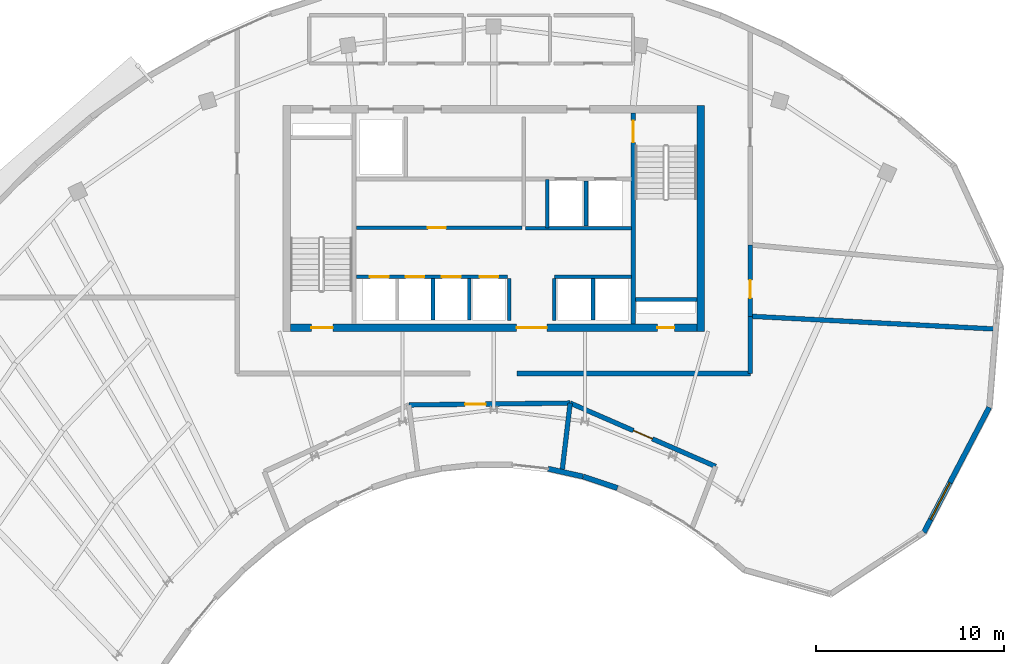
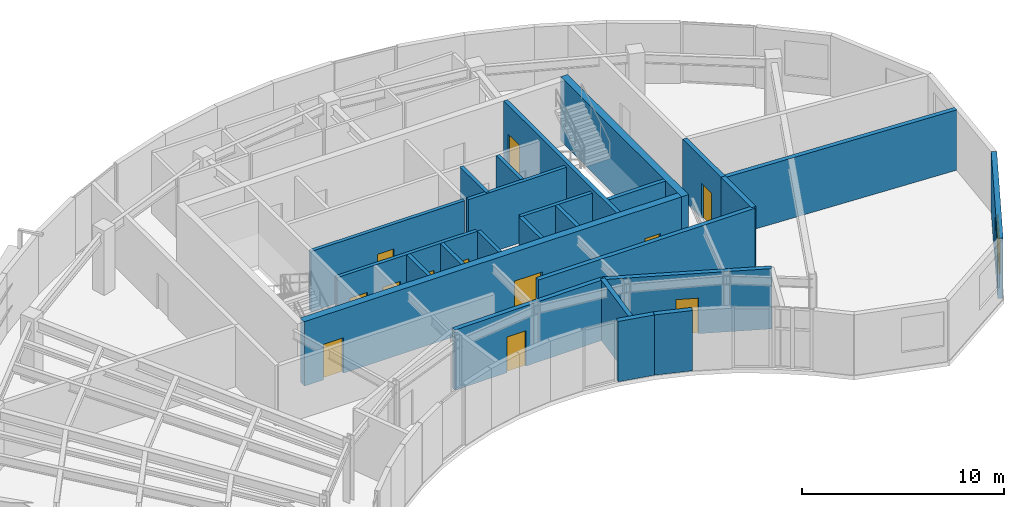
# One storey, part 9 of 12: 25 walls, 12 doors, 1 window, 13 openings.
"""IFC4 building model written with IfcOpenShell, lengths in metres."""

from ifc_helpers import new_model, si_unit, direction, frame, frame_2d, origin, place, context, subcontext, project, spatial, rectangle, extrude, source, transform, mapped, material, layer, layer_set, type_object, type_shapes, element, fill, save


model = new_model("IFC4")

# Units and contexts
model_context = context("Model", 3, precision=1e-05, world=origin(), true_north=direction((0.0, 1.0)))
body_context = subcontext(model_context, "Body", "Model", "MODEL_VIEW")
ifc_project = project(units=[si_unit("LENGTHUNIT", "METRE"), si_unit("AREAUNIT", "SQUARE_METRE"), si_unit("VOLUMEUNIT", "CUBIC_METRE"), si_unit("PLANEANGLEUNIT", "RADIAN"), si_unit("MASSUNIT", "GRAM", prefix="KILO")], contexts=[model_context])

# Site, building, storey
site_placement = place(None, origin())
site = spatial("IfcSite", under=ifc_project, at=site_placement, CompositionType="ELEMENT")
building_placement = place(site_placement, origin())
building = spatial("IfcBuilding", under=site, at=building_placement, Name="Breltana Convention Tower", CompositionType="ELEMENT")
storey_placement = place(building_placement, frame((0.0, 0.0, 260.10009765625)))
storey = spatial("IfcBuildingStorey", under=building, at=storey_placement, Name="L63", CompositionType="ELEMENT", Elevation=260.10009765625)

# Walls
ifc_material_1 = material(Name="Concrete C50/60", Category="concrete")
ifc_layer_1 = layer(ifc_material_1, 0.39990234375, Name="Concrete C50/60")
ifc_layer_set_1 = layer_set([ifc_layer_1], Name="Concrete C50/60")
wall_type_1 = type_object("IfcWallType", Name="SW-CORE-400", PredefinedType="SHEAR", material=ifc_layer_set_1)
shared_shape_1 = source(origin(), body_context, "Body", "SweptSolid", [
    extrude(rectangle(XDim=3.27001953125, YDim=0.219970703125, at=frame_2d((1.635009765625, 0.0))), origin(), (0.0, 0.0, 1.0), 3.89990234375),
])
wall_1_placement = place(storey_placement, frame((55.530029296875, 61.889892578125, 0.0), z_axis=(0.0, 0.0, 1.0), x_axis=(1.0, 0.0, 0.0)))
element("IfcWall", 1, at=wall_1_placement, inside=storey, type_object=wall_type_1, Name="L63 ST-2 Stairwell South Bearing Wall", PredefinedType="SHEAR", context=body_context, shape_type="MappedRepresentation", body=[
    mapped(shared_shape_1, transform((0.0, 0.0, 0.0), scale=1.0)),
])
shared_shape_2 = source(origin(), body_context, "Body", "SweptSolid", [
    extrude(rectangle(XDim=12.0, YDim=0.39990234375, at=frame_2d((6.0, 0.0))), origin(), (0.0, 0.0, 1.0), 3.89990234375),
])
wall_2_placement = place(storey_placement, frame((59.0, 60.199951171875, 0.0), z_axis=(0.0, 0.0, 1.0), x_axis=(0.0, 1.0, 0.0)))
element("IfcWall", 2, at=wall_2_placement, inside=storey, type_object=wall_type_1, Name="L63 East Core Shear Wall", PredefinedType="SHEAR", context=body_context, shape_type="MappedRepresentation", body=[
    mapped(shared_shape_2, transform((0.0, 0.0, 0.0), scale=1.0)),
])

# Wall, openings, doors
shared_shape_3 = source(origin(), body_context, "Body", "SweptSolid", [
    extrude(rectangle(XDim=21.60009765625, YDim=0.39990234375, at=frame_2d((10.800048828125, 0.0))), origin(), (0.0, 0.0, 1.0), 3.89990234375),
])
wall_3_placement = place(storey_placement, frame((37.199951171875, 60.39990234375, 0.0), z_axis=(0.0, 0.0, 1.0), x_axis=(1.0, 0.0, 0.0)))
wall_3 = element("IfcWall", 3, at=wall_3_placement, inside=storey, type_object=wall_type_1, Name="L63 South Core Shear Wall", PredefinedType="SHEAR", context=body_context, shape_type="MappedRepresentation", body=[
    mapped(shared_shape_3, transform((0.0, 0.0, 0.0), scale=1.0)),
])
opening_1_placement = place(wall_3_placement, frame((1.10009765625, 0.0, 0.0)))
opening_1 = element("IfcOpeningElement", 4, at=opening_1_placement, cuts=wall_3, Name="Opening D-11", PredefinedType="OPENING", context=body_context, shape_type="SweptSolid", body=[
    extrude(rectangle(XDim=1.14990234375, YDim=2.14990234375, at=frame_2d((0.574951171875, 1.074951171875))), frame((0.0, 0.2099609375, 0.0), z_axis=(0.0, -1.0, 0.0), x_axis=(1.0, 0.0, 0.0)), (0.0, 0.0, 1.0), 0.419921875),
])
opening_2_placement = place(wall_3_placement, frame((19.5, 0.0, 0.0)))
opening_2 = element("IfcOpeningElement", 5, at=opening_2_placement, cuts=wall_3, Name="Opening D-18", PredefinedType="OPENING", context=body_context, shape_type="SweptSolid", body=[
    extrude(rectangle(XDim=0.89990234375, YDim=2.10009765625, at=frame_2d((0.449951171875, 1.050048828125))), frame((0.0, 0.2099609375, 0.0), z_axis=(0.0, -1.0, 0.0), x_axis=(1.0, 0.0, 0.0)), (0.0, 0.0, 1.0), 0.419921875),
])
opening_3_placement = place(wall_3_placement, frame((12.02001953125, 0.0, 0.0)))
opening_3 = element("IfcOpeningElement", 6, at=opening_3_placement, cuts=wall_3, Name="Opening D-02", PredefinedType="OPENING", context=body_context, shape_type="SweptSolid", body=[
    extrude(rectangle(XDim=1.60009765625, YDim=2.14990234375, at=frame_2d((0.800048828125, 1.074951171875))), frame((0.0, 0.2099609375, 0.0), z_axis=(0.0, -1.0, 0.0), x_axis=(1.0, 0.0, 0.0)), (0.0, 0.0, 1.0), 0.419921875),
])
ifc_material_2 = material(Name="Steel Stair Exit Door", Category="steel")
door_type_1 = type_object("IfcDoorType", Name="DR-FD120-1150", OperationType="NOTDEFINED", PredefinedType="DOOR", material=ifc_material_2)
shared_shape_4 = source(origin(), body_context, "Body", "SweptSolid", [
    extrude(rectangle(XDim=1.14990234375, YDim=2.14990234375, at=frame_2d((0.574951171875, 1.074951171875))), frame((0.0, 0.02490234375, 0.0), z_axis=(0.0, -1.0, 0.0), x_axis=(1.0, 0.0, 0.0)), (0.0, 0.0, 1.0), 0.050048828125),
])
type_shapes(door_type_1, [shared_shape_4])
door_1_placement = place(opening_1_placement, origin())
door_1 = element("IfcDoor", 7, at=door_1_placement, inside=storey, type_object=door_type_1, Name="L63 interior door D-L63-ST1", OperationType="SINGLE_SWING_LEFT", OverallHeight=2.14990234375, OverallWidth=1.14990234375, PredefinedType="DOOR", context=body_context, shape_type="MappedRepresentation", body=[
    mapped(shared_shape_4, transform((0.0, 0.0, 0.0), scale=1.0)),
])
fill(opening_1, door_1)
ifc_material_3 = material(Name="Steel Riser Fire Door", Category="steel")
door_type_2 = type_object("IfcDoorType", Name="DR-FD60-900", OperationType="NOTDEFINED", PredefinedType="DOOR", material=ifc_material_3)
shared_shape_5 = source(origin(), body_context, "Body", "SweptSolid", [
    extrude(rectangle(XDim=0.89990234375, YDim=2.10009765625, at=frame_2d((0.449951171875, 1.050048828125))), frame((0.0, 0.02490234375, 0.0), z_axis=(0.0, -1.0, 0.0), x_axis=(1.0, 0.0, 0.0)), (0.0, 0.0, 1.0), 0.050048828125),
])
type_shapes(door_type_2, [shared_shape_5])
door_2_placement = place(opening_2_placement, origin())
door_2 = element("IfcDoor", 8, at=door_2_placement, inside=storey, type_object=door_type_2, Name="L63 Core Riser Access Door D-L63-RS2", OperationType="SINGLE_SWING_RIGHT", OverallHeight=2.10009765625, OverallWidth=0.89990234375, PredefinedType="DOOR", context=body_context, shape_type="MappedRepresentation", body=[
    mapped(shared_shape_5, transform((0.0, 0.0, 0.0), scale=1.0)),
])
fill(opening_2, door_2)
ifc_material_4 = material(Name="Steel Glazed Smoke-Control Door", Category="steel")
door_type_3 = type_object("IfcDoorType", Name="DR-DBL-FD90-1600", OperationType="DOUBLE_DOOR_SINGLE_SWING", PredefinedType="DOOR", material=ifc_material_4)
shared_shape_6 = source(origin(), body_context, "Body", "SweptSolid", [
    extrude(rectangle(XDim=1.60009765625, YDim=2.14990234375, at=frame_2d((0.800048828125, 1.074951171875))), frame((0.0, 0.02490234375, 0.0), z_axis=(0.0, -1.0, 0.0), x_axis=(1.0, 0.0, 0.0)), (0.0, 0.0, 1.0), 0.050048828125),
])
type_shapes(door_type_3, [shared_shape_6])
door_3_placement = place(opening_3_placement, origin())
door_3 = element("IfcDoor", 9, at=door_3_placement, inside=storey, type_object=door_type_3, Name="L63 interior door D-L63-LLB-S", OperationType="DOUBLE_DOOR_SINGLE_SWING", OverallHeight=2.14990234375, OverallWidth=1.60009765625, PredefinedType="DOOR", context=body_context, shape_type="MappedRepresentation", body=[
    mapped(shared_shape_6, transform((0.0, 0.0, 0.0), scale=1.0)),
])
fill(opening_3, door_3)

# Wall, opening, door
shared_shape_7 = source(origin(), body_context, "Body", "SweptSolid", [
    extrude(rectangle(XDim=11.199951171875, YDim=0.219970703125, at=frame_2d((5.60009765625, 0.0))), origin(), (0.0, 0.0, 1.0), 3.89990234375),
])
wall_4_placement = place(storey_placement, frame((55.419921875, 60.60009765625, 0.0), z_axis=(0.0, 0.0, 1.0), x_axis=(0.0, 1.0, 0.0)))
wall_4 = element("IfcWall", 10, at=wall_4_placement, inside=storey, type_object=wall_type_1, Name="L63 Core East Stair Spine Wall", PredefinedType="SHEAR", context=body_context, shape_type="MappedRepresentation", body=[
    mapped(shared_shape_7, transform((0.0, 0.0, 0.0), scale=1.0)),
])
opening_4_placement = place(wall_4_placement, frame((9.64501953125, 0.0, 0.0)))
opening_4 = element("IfcOpeningElement", 11, at=opening_4_placement, cuts=wall_4, Name="Opening D-11", PredefinedType="OPENING", context=body_context, shape_type="SweptSolid", body=[
    extrude(rectangle(XDim=1.14990234375, YDim=2.14990234375, at=frame_2d((0.574951171875, 1.074951171875))), frame((0.0, 0.1201171875, 0.0), z_axis=(0.0, -1.0, 0.0), x_axis=(1.0, 0.0, 0.0)), (0.0, 0.0, 1.0), 0.239990234375),
])
door_4_placement = place(opening_4_placement, origin())
door_4 = element("IfcDoor", 12, at=door_4_placement, inside=storey, type_object=door_type_1, Name="L63 interior door D-L63-ST2", OperationType="SINGLE_SWING_LEFT", OverallHeight=2.14990234375, OverallWidth=1.14990234375, PredefinedType="DOOR", context=body_context, shape_type="MappedRepresentation", body=[
    mapped(shared_shape_4, transform((0.0, 0.0, 0.0), scale=1.0)),
])
fill(opening_4, door_4)

# Wall, opening, window
ifc_material_5 = material(Name="Limestone Buff Insulated Wall", Category="masonry")
ifc_layer_2 = layer(ifc_material_5, 0.280029296875, Name="Limestone Buff Insulated Wall")
ifc_layer_set_2 = layer_set([ifc_layer_2], Name="Limestone Buff Insulated Wall")
wall_type_2 = type_object("IfcWallType", Name="WL-EXT-NOSE-280", PredefinedType="SOLIDWALL", material=ifc_layer_set_2)
shared_shape_8 = source(origin(), body_context, "Body", "SweptSolid", [
    extrude(rectangle(XDim=7.494873046875, YDim=0.280029296875, at=frame_2d((3.74755859375, 0.0))), origin(), (0.0, 0.0, 1.0), 3.64990234375),
])
wall_5_placement = place(storey_placement, frame((74.342529296875, 56.156005859375, 0.0), z_axis=(0.0, 0.0, 1.0), x_axis=(-0.463116979657, -0.886297164135, 0.0)))
wall_5 = element("IfcWall", 13, at=wall_5_placement, inside=storey, type_object=wall_type_2, Name="L63 curved limestone nose wall E3", PredefinedType="SOLIDWALL", context=body_context, shape_type="MappedRepresentation", body=[
    mapped(shared_shape_8, transform((0.0, 0.0, 0.0), scale=1.0)),
])
opening_5_placement = place(wall_5_placement, frame((4.52099609375, 0.0, 0.949951171875)))
opening_5 = element("IfcOpeningElement", 14, at=opening_5_placement, cuts=wall_5, Name="Opening W-03", PredefinedType="OPENING", context=body_context, shape_type="SweptSolid", body=[
    extrude(rectangle(XDim=2.199951171875, YDim=2.10009765625, at=frame_2d((1.10009765625, 1.050048828125))), frame((0.0, 0.14990234375, 0.0), z_axis=(0.0, -1.0, 0.0), x_axis=(1.0, 0.0, 0.0)), (0.0, 0.0, 1.0), 0.300048828125),
])
ifc_material_6 = material(Name="Glass Low-E Insulated Window", Category="glass")
window_type = type_object("IfcWindowType", Name="WN-NOSE-2200X2100", PartitioningType="TRIPLE_PANEL_VERTICAL", PredefinedType="WINDOW", material=ifc_material_6)
shared_shape_9 = source(origin(), body_context, "Body", "SweptSolid", [
    extrude(rectangle(XDim=2.199951171875, YDim=2.10009765625, at=frame_2d((1.10009765625, 1.050048828125))), frame((0.0, 0.030029296875, 0.0), z_axis=(0.0, -1.0, 0.0), x_axis=(1.0, 0.0, 0.0)), (0.0, 0.0, 1.0), 0.06005859375),
])
type_shapes(window_type, [shared_shape_9])
window_placement = place(opening_5_placement, origin())
window = element("IfcWindow", 15, at=window_placement, inside=storey, type_object=window_type, Name="L63 nose window E3", OverallHeight=2.10009765625, OverallWidth=2.199951171875, PartitioningType="TRIPLE_PANEL_VERTICAL", PredefinedType="WINDOW", context=body_context, shape_type="MappedRepresentation", body=[
    mapped(shared_shape_9, transform((0.0, 0.0, 0.0), scale=1.0)),
])
fill(opening_5, window)

# Walls
shared_shape_10 = source(origin(), body_context, "Body", "SweptSolid", [
    extrude(rectangle(XDim=1.917724609375, YDim=0.280029296875, at=frame_2d((0.958984375, 0.0))), origin(), (0.0, 0.0, 1.0), 3.64990234375),
])
wall_6_placement = place(storey_placement, frame((54.579345703125, 51.865234375, 0.0), z_axis=(0.0, 0.0, 1.0), x_axis=(-0.947916697588, 0.318518342381, 0.0)))
element("IfcWall", 16, at=wall_6_placement, inside=storey, type_object=wall_type_2, Name="L63 curved limestone nose wall E8", PredefinedType="SOLIDWALL", context=body_context, shape_type="MappedRepresentation", body=[
    mapped(shared_shape_10, transform((0.0, 0.0, 0.0), scale=1.0)),
])
shared_shape_11 = source(origin(), body_context, "Body", "SweptSolid", [
    extrude(rectangle(XDim=1.89404296875, YDim=0.280029296875, at=frame_2d((0.947021484375, 0.0))), origin(), (0.0, 0.0, 1.0), 3.64990234375),
])
wall_7_placement = place(storey_placement, frame((52.7431640625, 52.481201171875, 0.0), z_axis=(0.0, 0.0, 1.0), x_axis=(-0.976156721324, 0.217066937635, 0.0)))
element("IfcWall", 17, at=wall_7_placement, inside=storey, type_object=wall_type_2, Name="L63 curved limestone nose wall E9", PredefinedType="SOLIDWALL", context=body_context, shape_type="MappedRepresentation", body=[
    mapped(shared_shape_11, transform((0.0, 0.0, 0.0), scale=1.0)),
])
ifc_material_7 = material(Name="Autoclaved Aerated Concrete Block", Category="concrete")
ifc_layer_3 = layer(ifc_material_7, 0.199951171875, Name="Autoclaved Aerated Concrete Block")
ifc_layer_set_3 = layer_set([ifc_layer_3], Name="Autoclaved Aerated Concrete Block")
wall_type_3 = type_object("IfcWallType", Name="WL-SHAFT-200", PredefinedType="SOLIDWALL", material=ifc_layer_set_3)
shared_shape_12 = source(origin(), body_context, "Body", "SweptSolid", [
    extrude(rectangle(XDim=2.239990234375, YDim=0.199951171875, at=frame_2d((1.1201171875, 0.0))), origin(), (0.0, 0.0, 1.0), 3.64990234375),
])
for number, where, z_axis, x_axis, name in (
    (18, (48.820068359375, 60.780029296875, 0.0), (0.0, 0.0, 1.0), (0.0, 1.0, 0.0), "L63 interior partition W-L63-PORT-W"),
    (19, (51.219970703125, 60.780029296875, 0.0), (0.0, 0.0, 1.0), (0.0, 1.0, 0.0), "L63 interior partition W-L63-PORT-E"),
):
    element("IfcWall", number, at=place(storey_placement, frame(where, z_axis=z_axis, x_axis=x_axis)), inside=storey, type_object=wall_type_3, Name=name, PredefinedType="SOLIDWALL", context=body_context, shape_type="MappedRepresentation", body=[
        mapped(shared_shape_12, transform((0.0, 0.0, 0.0), scale=1.0)),
    ])
shared_shape_13 = source(origin(), body_context, "Body", "SweptSolid", [
    extrude(rectangle(XDim=5.6201171875, YDim=0.199951171875, at=frame_2d((2.81005859375, 0.0))), origin(), (0.0, 0.0, 1.0), 3.64990234375),
])
wall_8_placement = place(storey_placement, frame((49.699951171875, 65.679931640625, 0.0), z_axis=(0.0, 0.0, 1.0), x_axis=(1.0, 0.0, 0.0)))
element("IfcWall", 20, at=wall_8_placement, inside=storey, type_object=wall_type_3, Name="L63 interior partition W-L63-FL-S", PredefinedType="SOLIDWALL", context=body_context, shape_type="MappedRepresentation", body=[
    mapped(shared_shape_13, transform((0.0, 0.0, 0.0), scale=1.0)),
])
shared_shape_14 = source(origin(), body_context, "Body", "SweptSolid", [
    extrude(rectangle(XDim=2.580078125, YDim=0.199951171875, at=frame_2d((1.2900390625, 0.0))), origin(), (0.0, 0.0, 1.0), 3.64990234375),
])
wall_9_placement = place(storey_placement, frame((50.85009765625, 65.679931640625, 0.0), z_axis=(0.0, 0.0, 1.0), x_axis=(0.0, 1.0, 0.0)))
element("IfcWall", 21, at=wall_9_placement, inside=storey, type_object=wall_type_3, Name="L63 interior partition W-L63-FL-W", PredefinedType="SOLIDWALL", context=body_context, shape_type="MappedRepresentation", body=[
    mapped(shared_shape_14, transform((0.0, 0.0, 0.0), scale=1.0)),
])
shared_shape_15 = source(origin(), body_context, "Body", "SweptSolid", [
    extrude(rectangle(XDim=2.39990234375, YDim=0.199951171875, at=frame_2d((1.199951171875, 0.0))), origin(), (0.0, 0.0, 1.0), 3.64990234375),
])
wall_10_placement = place(storey_placement, frame((52.89990234375, 65.800048828125, 0.0), z_axis=(0.0, 0.0, 1.0), x_axis=(0.0, 1.0, 0.0)))
element("IfcWall", 22, at=wall_10_placement, inside=storey, type_object=wall_type_3, Name="L63 interior partition W-L63-FL-DIV", PredefinedType="SOLIDWALL", context=body_context, shape_type="MappedRepresentation", body=[
    mapped(shared_shape_15, transform((0.0, 0.0, 0.0), scale=1.0)),
])

# Wall, opening, door
shared_shape_16 = source(origin(), body_context, "Body", "SweptSolid", [
    extrude(rectangle(XDim=8.800048828125, YDim=0.199951171875, at=frame_2d((4.39990234375, 0.0))), origin(), (0.0, 0.0, 1.0), 3.64990234375),
])
wall_11_placement = place(storey_placement, frame((40.699951171875, 65.699951171875, 0.0), z_axis=(0.0, 0.0, 1.0), x_axis=(1.0, 0.0, 0.0)))
wall_11 = element("IfcWall", 23, at=wall_11_placement, inside=storey, type_object=wall_type_3, Name="L63 interior partition W-L63-SH-M-FRONT", PredefinedType="SOLIDWALL", context=body_context, shape_type="MappedRepresentation", body=[
    mapped(shared_shape_16, transform((0.0, 0.0, 0.0), scale=1.0)),
])
opening_6_placement = place(wall_11_placement, frame((3.800048828125, 0.0, 0.0)))
opening_6 = element("IfcOpeningElement", 24, at=opening_6_placement, cuts=wall_11, Name="Opening D-14", PredefinedType="OPENING", context=body_context, shape_type="SweptSolid", body=[
    extrude(rectangle(XDim=0.949951171875, YDim=2.14990234375, at=frame_2d((0.47509765625, 1.074951171875))), frame((0.0, 0.10986328125, 0.0), z_axis=(0.0, -1.0, 0.0), x_axis=(1.0, 0.0, 0.0)), (0.0, 0.0, 1.0), 0.219970703125),
])
ifc_material_8 = material(Name="Timber Solid-Core Fire Door", Category="wood")
door_type_4 = type_object("IfcDoorType", Name="DR-FD60-950", OperationType="NOTDEFINED", PredefinedType="DOOR", material=ifc_material_8)
shared_shape_17 = source(origin(), body_context, "Body", "SweptSolid", [
    extrude(rectangle(XDim=0.949951171875, YDim=2.14990234375, at=frame_2d((0.47509765625, 1.074951171875))), frame((0.0, 0.02490234375, 0.0), z_axis=(0.0, -1.0, 0.0), x_axis=(1.0, 0.0, 0.0)), (0.0, 0.0, 1.0), 0.050048828125),
])
type_shapes(door_type_4, [shared_shape_17])
door_5_placement = place(opening_6_placement, origin())
door_5 = element("IfcDoor", 25, at=door_5_placement, inside=storey, type_object=door_type_4, Name="L63 interior door D-L63-LV7-B2A", OperationType="SINGLE_SWING_RIGHT", OverallHeight=2.14990234375, OverallWidth=0.949951171875, PredefinedType="DOOR", context=body_context, shape_type="MappedRepresentation", body=[
    mapped(shared_shape_17, transform((0.0, 0.0, 0.0), scale=1.0)),
])
fill(opening_6, door_5)

# Wall, openings, doors
shared_shape_18 = source(origin(), body_context, "Body", "SweptSolid", [
    extrude(rectangle(XDim=8.02001953125, YDim=0.199951171875, at=frame_2d((4.010009765625, 0.0))), origin(), (0.0, 0.0, 1.0), 3.64990234375),
])
wall_12_placement = place(storey_placement, frame((40.699951171875, 63.10009765625, 0.0), z_axis=(0.0, 0.0, 1.0), x_axis=(1.0, 0.0, 0.0)))
wall_12 = element("IfcWall", 26, at=wall_12_placement, inside=storey, type_object=wall_type_3, Name="L63 interior partition W-L63-SH-S-FRONT", PredefinedType="SOLIDWALL", context=body_context, shape_type="MappedRepresentation", body=[
    mapped(shared_shape_18, transform((0.0, 0.0, 0.0), scale=1.0)),
])
opening_7_placement = place(wall_12_placement, frame((0.719970703125, 0.0, 0.0)))
opening_7 = element("IfcOpeningElement", 27, at=opening_7_placement, cuts=wall_12, Name="Opening LD-04", PredefinedType="OPENING", context=body_context, shape_type="SweptSolid", body=[
    extrude(rectangle(XDim=1.0, YDim=2.14990234375, at=frame_2d((0.5, 1.074951171875))), frame((0.0, 0.10986328125, 0.0), z_axis=(0.0, -1.0, 0.0), x_axis=(1.0, 0.0, 0.0)), (0.0, 0.0, 1.0), 0.219970703125),
])
opening_8_placement = place(wall_12_placement, frame((2.6201171875, 0.0, 0.0)))
opening_8 = element("IfcOpeningElement", 28, at=opening_8_placement, cuts=wall_12, Name="Opening LD-04", PredefinedType="OPENING", context=body_context, shape_type="SweptSolid", body=[
    extrude(rectangle(XDim=1.0, YDim=2.14990234375, at=frame_2d((0.5, 1.074951171875))), frame((0.0, 0.10986328125, 0.0), z_axis=(0.0, -1.0, 0.0), x_axis=(1.0, 0.0, 0.0)), (0.0, 0.0, 1.0), 0.219970703125),
])
opening_9_placement = place(wall_12_placement, frame((4.550048828125, 0.0, 0.0)))
opening_9 = element("IfcOpeningElement", 29, at=opening_9_placement, cuts=wall_12, Name="Opening LD-04", PredefinedType="OPENING", context=body_context, shape_type="SweptSolid", body=[
    extrude(rectangle(XDim=1.0, YDim=2.14990234375, at=frame_2d((0.5, 1.074951171875))), frame((0.0, 0.10986328125, 0.0), z_axis=(0.0, -1.0, 0.0), x_axis=(1.0, 0.0, 0.0)), (0.0, 0.0, 1.0), 0.219970703125),
])
opening_10_placement = place(wall_12_placement, frame((6.550048828125, 0.0, 0.0)))
opening_10 = element("IfcOpeningElement", 30, at=opening_10_placement, cuts=wall_12, Name="Opening LD-04", PredefinedType="OPENING", context=body_context, shape_type="SweptSolid", body=[
    extrude(rectangle(XDim=1.0, YDim=2.14990234375, at=frame_2d((0.5, 1.074951171875))), frame((0.0, 0.10986328125, 0.0), z_axis=(0.0, -1.0, 0.0), x_axis=(1.0, 0.0, 0.0)), (0.0, 0.0, 1.0), 0.219970703125),
])
ifc_material_9 = material(Name="Stainless Steel Brushed", Category="steel")
door_type_5 = type_object("IfcDoorType", Name="DR-LD-PAX-1000", OperationType="DOUBLE_DOOR_SLIDING", PredefinedType="DOOR", material=ifc_material_9)
shared_shape_19 = source(origin(), body_context, "Body", "SweptSolid", [
    extrude(rectangle(XDim=1.0, YDim=2.14990234375, at=frame_2d((0.5, 1.074951171875))), frame((0.0, 0.02490234375, 0.0), z_axis=(0.0, -1.0, 0.0), x_axis=(1.0, 0.0, 0.0)), (0.0, 0.0, 1.0), 0.050048828125),
])
type_shapes(door_type_5, [shared_shape_19])
door_6_placement = place(opening_7_placement, origin())
door_6 = element("IfcDoor", 31, at=door_6_placement, inside=storey, type_object=door_type_5, Name="L63 Lift Landing Door D-L63-LD-S1", OperationType="DOUBLE_DOOR_SLIDING", OverallHeight=2.14990234375, OverallWidth=1.0, PredefinedType="DOOR", context=body_context, shape_type="MappedRepresentation", body=[
    mapped(shared_shape_19, transform((0.0, 0.0, 0.0), scale=1.0)),
])
fill(opening_7, door_6)
door_7_placement = place(opening_8_placement, origin())
door_7 = element("IfcDoor", 32, at=door_7_placement, inside=storey, type_object=door_type_5, Name="L63 Lift Landing Door D-L63-LD-S2", OperationType="DOUBLE_DOOR_SLIDING", OverallHeight=2.14990234375, OverallWidth=1.0, PredefinedType="DOOR", context=body_context, shape_type="MappedRepresentation", body=[
    mapped(shared_shape_19, transform((0.0, 0.0, 0.0), scale=1.0)),
])
fill(opening_8, door_7)
door_8_placement = place(opening_9_placement, origin())
door_8 = element("IfcDoor", 33, at=door_8_placement, inside=storey, type_object=door_type_5, Name="L63 Lift Landing Door D-L63-LD-S3", OperationType="DOUBLE_DOOR_SLIDING", OverallHeight=2.14990234375, OverallWidth=1.0, PredefinedType="DOOR", context=body_context, shape_type="MappedRepresentation", body=[
    mapped(shared_shape_19, transform((0.0, 0.0, 0.0), scale=1.0)),
])
fill(opening_9, door_8)
door_9_placement = place(opening_10_placement, origin())
door_9 = element("IfcDoor", 34, at=door_9_placement, inside=storey, type_object=door_type_5, Name="L63 Lift Landing Door D-L63-LD-S4", OperationType="DOUBLE_DOOR_SLIDING", OverallHeight=2.14990234375, OverallWidth=1.0, PredefinedType="DOOR", context=body_context, shape_type="MappedRepresentation", body=[
    mapped(shared_shape_19, transform((0.0, 0.0, 0.0), scale=1.0)),
])
fill(opening_10, door_9)

# Walls
shared_shape_20 = source(origin(), body_context, "Body", "SweptSolid", [
    extrude(rectangle(XDim=4.10009765625, YDim=0.199951171875, at=frame_2d((2.050048828125, 0.0))), origin(), (0.0, 0.0, 1.0), 3.64990234375),
])
wall_13_placement = place(storey_placement, frame((51.219970703125, 63.10009765625, 0.0), z_axis=(0.0, 0.0, 1.0), x_axis=(1.0, 0.0, 0.0)))
element("IfcWall", 35, at=wall_13_placement, inside=storey, type_object=wall_type_3, Name="L63 interior partition W-L63-SH-X-FRONT", PredefinedType="SOLIDWALL", context=body_context, shape_type="MappedRepresentation", body=[
    mapped(shared_shape_20, transform((0.0, 0.0, 0.0), scale=1.0)),
])
shared_shape_21 = source(origin(), body_context, "Body", "SweptSolid", [
    extrude(rectangle(XDim=2.199951171875, YDim=0.199951171875, at=frame_2d((1.10009765625, 0.0))), origin(), (0.0, 0.0, 1.0), 3.64990234375),
])
for number, where, z_axis, x_axis, name in (
    (36, (44.77001953125, 60.800048828125, 0.0), (0.0, 0.0, 1.0), (0.0, 1.0, 0.0), "L63 interior partition W-L63-SH-S-DIV2"),
    (37, (46.699951171875, 60.800048828125, 0.0), (0.0, 0.0, 1.0), (0.0, 1.0, 0.0), "L63 interior partition W-L63-SH-S-DIV3"),
    (38, (53.280029296875, 60.800048828125, 0.0), (0.0, 0.0, 1.0), (0.0, 1.0, 0.0), "L63 interior partition W-L63-SH-X-DIV"),
):
    element("IfcWall", number, at=place(storey_placement, frame(where, z_axis=z_axis, x_axis=x_axis)), inside=storey, type_object=wall_type_3, Name=name, PredefinedType="SOLIDWALL", context=body_context, shape_type="MappedRepresentation", body=[
        mapped(shared_shape_21, transform((0.0, 0.0, 0.0), scale=1.0)),
    ])

# Wall, opening, door
ifc_material_10 = material(Name="Gypsum Acoustic Double Stud Wall")
ifc_layer_4 = layer(ifc_material_10, 0.25, Name="Gypsum Acoustic Double Stud Wall")
ifc_layer_set_4 = layer_set([ifc_layer_4], Name="Gypsum Acoustic Double Stud Wall")
wall_type_4 = type_object("IfcWallType", Name="WL-ACOUSTIC-250", PredefinedType="PARTITIONING", material=ifc_layer_set_4)
shared_shape_22 = source(origin(), body_context, "Body", "SweptSolid", [
    extrude(rectangle(XDim=8.576171875, YDim=0.25, at=frame_2d((4.2880859375, 0.0))), origin(), (0.0, 0.0, 1.0), 3.64990234375),
])
wall_14_placement = place(storey_placement, frame((43.488525390625, 56.2841796875, 0.0), z_axis=(0.0, 0.0, 1.0), x_axis=(0.999931553434, 0.011699933624, 0.0)))
wall_14 = element("IfcWall", 39, at=wall_14_placement, inside=storey, type_object=wall_type_4, Name="L63 interior partition W-L63-ES2-COR", PredefinedType="PARTITIONING", context=body_context, shape_type="MappedRepresentation", body=[
    mapped(shared_shape_22, transform((0.0, 0.0, 0.0), scale=1.0)),
])
opening_11_placement = place(wall_14_placement, frame((2.988037109375, 0.0, 0.0)))
opening_11 = element("IfcOpeningElement", 40, at=opening_11_placement, cuts=wall_14, Name="Opening D-12", PredefinedType="OPENING", context=body_context, shape_type="SweptSolid", body=[
    extrude(rectangle(XDim=1.10009765625, YDim=2.14990234375, at=frame_2d((0.550048828125, 1.074951171875))), frame((0.0, 0.135009765625, 0.0), z_axis=(0.0, -1.0, 0.0), x_axis=(1.0, 0.0, 0.0)), (0.0, 0.0, 1.0), 0.27001953125),
])
ifc_material_11 = material(Name="Timber Oak Acoustic Door", Category="wood")
door_type_6 = type_object("IfcDoorType", Name="DR-INT-1100", OperationType="NOTDEFINED", PredefinedType="DOOR", material=ifc_material_11)
shared_shape_23 = source(origin(), body_context, "Body", "SweptSolid", [
    extrude(rectangle(XDim=1.10009765625, YDim=2.14990234375, at=frame_2d((0.550048828125, 1.074951171875))), frame((0.0, 0.02490234375, 0.0), z_axis=(0.0, -1.0, 0.0), x_axis=(1.0, 0.0, 0.0)), (0.0, 0.0, 1.0), 0.050048828125),
])
type_shapes(door_type_6, [shared_shape_23])
door_10_placement = place(opening_11_placement, origin())
door_10 = element("IfcDoor", 41, at=door_10_placement, inside=storey, type_object=door_type_6, Name="L63 interior door D-L63-ES2", OperationType="SINGLE_SWING_RIGHT", OverallHeight=2.14990234375, OverallWidth=1.10009765625, PredefinedType="DOOR", context=body_context, shape_type="MappedRepresentation", body=[
    mapped(shared_shape_23, transform((0.0, 0.0, 0.0), scale=1.0)),
])
fill(opening_11, door_10)

# Wall
shared_shape_24 = source(origin(), body_context, "Body", "SweptSolid", [
    extrude(rectangle(XDim=3.671630859375, YDim=0.25, at=frame_2d((1.8359375, 0.0))), origin(), (0.0, 0.0, 1.0), 3.64990234375),
])
wall_15_placement = place(storey_placement, frame((51.63330078125, 52.73828125, 0.0), z_axis=(0.0, 0.0, 1.0), x_axis=(0.117362064027, 0.993089193339, 0.0)))
element("IfcWall", 42, at=wall_15_placement, inside=storey, type_object=wall_type_4, Name="L63 interior partition W-L63-ES2-RB", PredefinedType="PARTITIONING", context=body_context, shape_type="MappedRepresentation", body=[
    mapped(shared_shape_24, transform((0.0, 0.0, 0.0), scale=1.0)),
])

# Wall, opening, door
shared_shape_25 = source(origin(), body_context, "Body", "SweptSolid", [
    extrude(rectangle(XDim=8.431396484375, YDim=0.25, at=frame_2d((4.2158203125, 0.0))), origin(), (0.0, 0.0, 1.0), 3.64990234375),
])
wall_16_placement = place(storey_placement, frame((52.064208984375, 56.384521484375, 0.0), z_axis=(0.0, 0.0, 1.0), x_axis=(0.916868304583, -0.399189819574, 0.0)))
wall_16 = element("IfcWall", 43, at=wall_16_placement, inside=storey, type_object=wall_type_4, Name="L63 interior partition W-L63-ES3-COR", PredefinedType="PARTITIONING", context=body_context, shape_type="MappedRepresentation", body=[
    mapped(shared_shape_25, transform((0.0, 0.0, 0.0), scale=1.0)),
])
opening_12_placement = place(wall_16_placement, frame((3.665771484375, 0.0, 0.0)))
opening_12 = element("IfcOpeningElement", 44, at=opening_12_placement, cuts=wall_16, Name="Opening D-12", PredefinedType="OPENING", context=body_context, shape_type="SweptSolid", body=[
    extrude(rectangle(XDim=1.10009765625, YDim=2.14990234375, at=frame_2d((0.550048828125, 1.074951171875))), frame((0.0, 0.135009765625, 0.0), z_axis=(0.0, -1.0, 0.0), x_axis=(1.0, 0.0, 0.0)), (0.0, 0.0, 1.0), 0.27001953125),
])
door_11_placement = place(opening_12_placement, origin())
door_11 = element("IfcDoor", 45, at=door_11_placement, inside=storey, type_object=door_type_6, Name="L63 interior door D-L63-ES3", OperationType="SINGLE_SWING_LEFT", OverallHeight=2.14990234375, OverallWidth=1.10009765625, PredefinedType="DOOR", context=body_context, shape_type="MappedRepresentation", body=[
    mapped(shared_shape_23, transform((0.0, 0.0, 0.0), scale=1.0)),
])
fill(opening_12, door_11)

# Walls
shared_shape_26 = source(origin(), body_context, "Body", "SweptSolid", [
    extrude(rectangle(XDim=12.389892578125, YDim=0.25, at=frame_2d((6.19482421875, 0.0))), origin(), (0.0, 0.0, 1.0), 3.64990234375),
])
wall_17_placement = place(storey_placement, frame((49.25, 57.9599609375, 0.0), z_axis=(0.0, 0.0, 1.0), x_axis=(1.0, 0.0, 0.0)))
element("IfcWall", 46, at=wall_17_placement, inside=storey, type_object=wall_type_4, Name="L63 interior partition W-L63-Z45-CSE", PredefinedType="PARTITIONING", context=body_context, shape_type="MappedRepresentation", body=[
    mapped(shared_shape_26, transform((0.0, 0.0, 0.0), scale=1.0)),
])
shared_shape_27 = source(origin(), body_context, "Body", "SweptSolid", [
    extrude(rectangle(XDim=12.93798828125, YDim=0.25, at=frame_2d((6.468994140625, 0.0))), origin(), (0.0, 0.0, 1.0), 3.64990234375),
])
wall_18_placement = place(storey_placement, frame((61.639892578125, 61.0, 0.0), z_axis=(0.0, 0.0, 1.0), x_axis=(0.998643821866, -0.052062626215, 0.0)))
element("IfcWall", 47, at=wall_18_placement, inside=storey, type_object=wall_type_4, Name="L63 interior partition W-L63-EXE1-N", PredefinedType="PARTITIONING", context=body_context, shape_type="MappedRepresentation", body=[
    mapped(shared_shape_27, transform((0.0, 0.0, 0.0), scale=1.0)),
])
shared_shape_28 = source(origin(), body_context, "Body", "SweptSolid", [
    extrude(rectangle(XDim=3.0400390625, YDim=0.25, at=frame_2d((1.52001953125, 0.0))), origin(), (0.0, 0.0, 1.0), 3.64990234375),
])
wall_19_placement = place(storey_placement, frame((61.639892578125, 57.9599609375, 0.0), z_axis=(0.0, 0.0, 1.0), x_axis=(0.0, 1.0, 0.0)))
element("IfcWall", 48, at=wall_19_placement, inside=storey, type_object=wall_type_4, Name="L63 interior partition W-L63-EXE1-ENT", PredefinedType="PARTITIONING", context=body_context, shape_type="MappedRepresentation", body=[
    mapped(shared_shape_28, transform((0.0, 0.0, 0.0), scale=1.0)),
])

# Wall, opening, door
shared_shape_29 = source(origin(), body_context, "Body", "SweptSolid", [
    extrude(rectangle(XDim=3.800048828125, YDim=0.25, at=frame_2d((1.89990234375, 0.0))), origin(), (0.0, 0.0, 1.0), 3.64990234375),
])
wall_20_placement = place(storey_placement, frame((61.639892578125, 61.0, 0.0), z_axis=(0.0, 0.0, 1.0), x_axis=(0.0, 1.0, 0.0)))
wall_20 = element("IfcWall", 49, at=wall_20_placement, inside=storey, type_object=wall_type_4, Name="L63 interior partition W-L63-EXE2-ENT", PredefinedType="PARTITIONING", context=body_context, shape_type="MappedRepresentation", body=[
    mapped(shared_shape_29, transform((0.0, 0.0, 0.0), scale=1.0)),
])
opening_13_placement = place(wall_20_placement, frame((0.968994140625, 0.0, 0.0)))
opening_13 = element("IfcOpeningElement", 50, at=opening_13_placement, cuts=wall_20, Name="Opening D-17", PredefinedType="OPENING", context=body_context, shape_type="SweptSolid", body=[
    extrude(rectangle(XDim=0.949951171875, YDim=2.10009765625, at=frame_2d((0.47509765625, 1.050048828125))), frame((0.0, 0.135009765625, 0.0), z_axis=(0.0, -1.0, 0.0), x_axis=(1.0, 0.0, 0.0)), (0.0, 0.0, 1.0), 0.27001953125),
])
ifc_material_12 = material(Name="Timber Oak Veneer Door", Category="wood")
door_type_7 = type_object("IfcDoorType", Name="DR-INT-950", OperationType="NOTDEFINED", PredefinedType="DOOR", material=ifc_material_12)
shared_shape_30 = source(origin(), body_context, "Body", "SweptSolid", [
    extrude(rectangle(XDim=0.949951171875, YDim=2.10009765625, at=frame_2d((0.47509765625, 1.050048828125))), frame((0.0, 0.02490234375, 0.0), z_axis=(0.0, -1.0, 0.0), x_axis=(1.0, 0.0, 0.0)), (0.0, 0.0, 1.0), 0.050048828125),
])
type_shapes(door_type_7, [shared_shape_30])
door_12_placement = place(opening_13_placement, origin())
door_12 = element("IfcDoor", 51, at=door_12_placement, inside=storey, type_object=door_type_7, Name="L63 interior door D-L63-EXE2", OperationType="SINGLE_SWING_LEFT", OverallHeight=2.10009765625, OverallWidth=0.949951171875, PredefinedType="DOOR", context=body_context, shape_type="MappedRepresentation", body=[
    mapped(shared_shape_30, transform((0.0, 0.0, 0.0), scale=1.0)),
])
fill(opening_13, door_12)

save(model, "model.ifc")
